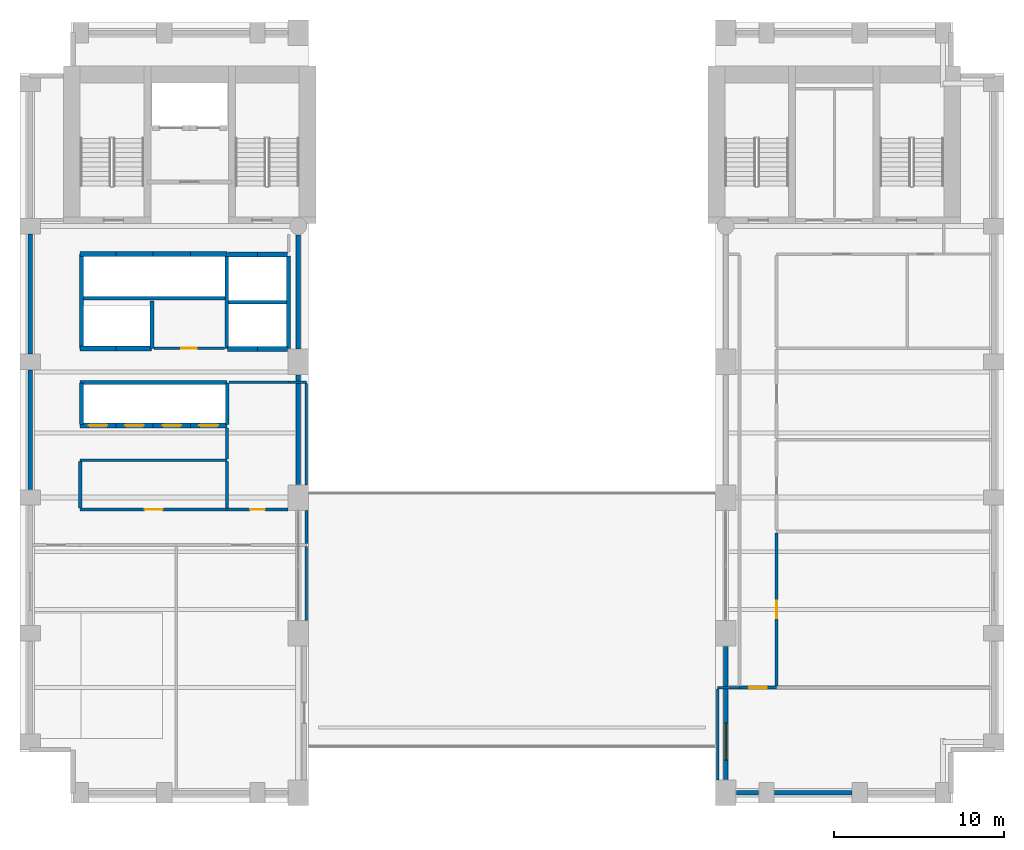
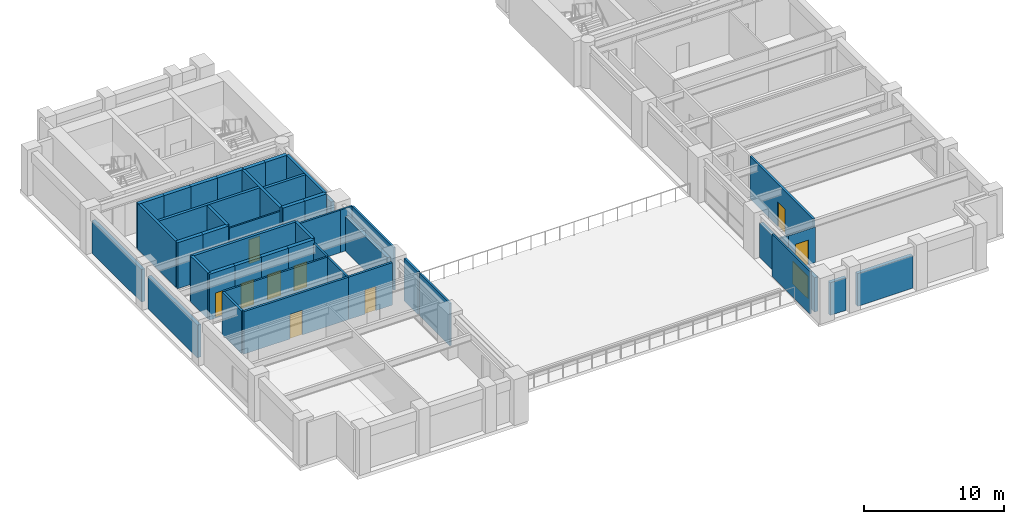
# One storey, part 5 of 10: 46 walls, 9 doors, 1 window, 10 openings.
"""IFC4 building model written with IfcOpenShell, lengths in metres."""

from ifc_helpers import new_model, si_unit, direction, frame, frame_2d, origin, place, context, subcontext, project, spatial, rectangle, extrude, material, layer, layer_set, type_object, element, fill, save


model = new_model("IFC4")

# Units and contexts
model_context = context("Model", 3, precision=1e-05, world=origin(), true_north=direction((0.0, 1.0)))
body_context = subcontext(model_context, "Body", "Model", "MODEL_VIEW")
ifc_project = project(units=[si_unit("LENGTHUNIT", "METRE"), si_unit("AREAUNIT", "SQUARE_METRE"), si_unit("VOLUMEUNIT", "CUBIC_METRE"), si_unit("PLANEANGLEUNIT", "RADIAN"), si_unit("MASSUNIT", "GRAM", prefix="KILO")], contexts=[model_context])

# Site, building, storey
site_placement = place(None, origin())
site = spatial("IfcSite", under=ifc_project, at=site_placement, CompositionType="ELEMENT")
building_placement = place(site_placement, origin())
building = spatial("IfcBuilding", under=site, at=building_placement, Name="Sulina Concourse Tower", CompositionType="ELEMENT")
storey_placement = place(building_placement, frame((0.0, 0.0, 22.60009765625)))
storey = spatial("IfcBuildingStorey", under=building, at=storey_placement, Name="L05", CompositionType="ELEMENT", Elevation=22.60009765625)

# Walls
ifc_material_1 = material(Name="Concrete C50/60", Category="concrete")
ifc_layer_1 = layer(ifc_material_1, 0.219970703125)
ifc_layer_set_1 = layer_set([ifc_layer_1], Name="Concrete C50/60")
wall_type_1 = type_object("IfcWallType", Name="Core Lift Hoistway Divider Wall 220mm", PredefinedType="SOLIDWALL", material=ifc_layer_set_1)
wall_1_placement = place(storey_placement, frame((3.550048828125, 29.75, 0.0), z_axis=(0.0, 0.0, 1.0), x_axis=(1.0, 0.0, 0.0)))
element("IfcWall", 1, at=wall_1_placement, inside=storey, type_object=wall_type_1, Name="L05 shaft divider wall HW-LP3-S", PredefinedType="SOLIDWALL", context=body_context, shape_type="SweptSolid", body=[
    extrude(rectangle(XDim=8.64990234375, YDim=0.219970703125, at=frame_2d((4.324951171875, 0.0))), origin(), (0.0, 0.0, 1.0), 4.0),
])
wall_2_placement = place(storey_placement, frame((3.6298828125, 26.800048828125, 0.0), z_axis=(0.0, 0.0, 1.0), x_axis=(0.0, 1.0, 0.0)))
element("IfcWall", 2, at=wall_2_placement, inside=storey, type_object=wall_type_1, Name="L05 shaft divider wall HW-LP3-W", PredefinedType="SOLIDWALL", context=body_context, shape_type="SweptSolid", body=[
    extrude(rectangle(XDim=5.550048828125, YDim=0.219970703125, at=frame_2d((2.77490234375, 0.0))), origin(), (0.0, 0.0, 1.0), 4.0),
])
wall_3_placement = place(storey_placement, frame((7.780029296875, 26.800048828125, 0.0), z_axis=(0.0, 0.0, 1.0), x_axis=(0.0, 1.0, 0.0)))
element("IfcWall", 3, at=wall_3_placement, inside=storey, type_object=wall_type_1, Name="L05 shaft divider wall HW-EXP-E", PredefinedType="SOLIDWALL", context=body_context, shape_type="SweptSolid", body=[
    extrude(rectangle(XDim=2.800048828125, YDim=0.219970703125, at=frame_2d((1.39990234375, 0.0))), origin(), (0.0, 0.0, 1.0), 4.0),
])
for number, where, z_axis, x_axis, name in (
    (4, (12.179931640625, 26.800048828125, 0.0), (0.0, 0.0, 1.0), (0.0, 1.0, 0.0), "L05 shaft divider wall HW-LP2-W"),
    (5, (15.820068359375, 26.800048828125, 0.0), (0.0, 0.0, 1.0), (0.0, 1.0, 0.0), "L05 shaft divider wall HW-LP2-E"),
):
    element("IfcWall", number, at=place(storey_placement, frame(where, z_axis=z_axis, x_axis=x_axis)), inside=storey, type_object=wall_type_1, Name=name, PredefinedType="SOLIDWALL", context=body_context, shape_type="SweptSolid", body=[
        extrude(rectangle(XDim=5.449951171875, YDim=0.219970703125, at=frame_2d((2.72509765625, 0.0))), origin(), (0.0, 0.0, 1.0), 4.0),
    ])
wall_4_placement = place(storey_placement, frame((12.300048828125, 29.52001953125, 0.0), z_axis=(0.0, 0.0, 1.0), x_axis=(1.0, 0.0, 0.0)))
element("IfcWall", 6, at=wall_4_placement, inside=storey, type_object=wall_type_1, Name="L05 shaft divider wall HW-LP2-M", PredefinedType="SOLIDWALL", context=body_context, shape_type="SweptSolid", body=[
    extrude(rectangle(XDim=3.39990234375, YDim=0.219970703125, at=frame_2d((1.699951171875, 0.0))), origin(), (0.0, 0.0, 1.0), 4.0),
])
wall_5_placement = place(storey_placement, frame((3.550048828125, 24.780029296875, 0.0), z_axis=(0.0, 0.0, 1.0), x_axis=(1.0, 0.0, 0.0)))
element("IfcWall", 7, at=wall_5_placement, inside=storey, type_object=wall_type_1, Name="L05 shaft divider wall HW-LP1-N", PredefinedType="SOLIDWALL", context=body_context, shape_type="SweptSolid", body=[
    extrude(rectangle(XDim=8.64990234375, YDim=0.219970703125, at=frame_2d((4.324951171875, 0.0))), origin(), (0.0, 0.0, 1.0), 4.0),
])
for number, where, z_axis, x_axis, name in (
    (8, (3.6298828125, 22.300048828125, 0.0), (0.0, 0.0, 1.0), (0.0, 1.0, 0.0), "L05 shaft divider wall HW-LP1-W"),
    (9, (12.219970703125, 22.300048828125, 0.0), (0.0, 0.0, 1.0), (0.0, 1.0, 0.0), "L05 shaft divider wall HW-LP1-E"),
):
    element("IfcWall", number, at=place(storey_placement, frame(where, z_axis=z_axis, x_axis=x_axis)), inside=storey, type_object=wall_type_1, Name=name, PredefinedType="SOLIDWALL", context=body_context, shape_type="SweptSolid", body=[
        extrude(rectangle(XDim=2.449951171875, YDim=0.219970703125, at=frame_2d((1.22509765625, 0.0))), origin(), (0.0, 0.0, 1.0), 4.0),
    ])

# Wall, opening, door
ifc_material_2 = material(Name="Concrete C50/60", Category="concrete")
ifc_layer_2 = layer(ifc_material_2, 0.300048828125)
ifc_layer_set_2 = layer_set([ifc_layer_2], Name="Concrete C50/60")
wall_type_2 = type_object("IfcWallType", Name="Core Lift Hoistway Wall 300mm", PredefinedType="SOLIDWALL", material=ifc_layer_set_2)
wall_6_placement = place(storey_placement, frame((5.64990234375, 22.25, 0.0), z_axis=(0.0, 0.0, 1.0), x_axis=(-1.0, 0.0, 0.0)))
wall_6 = element("IfcWall", 10, at=wall_6_placement, inside=storey, type_object=wall_type_2, Name="L05 hoistway enclosure wall LP-01", PredefinedType="SOLIDWALL", context=body_context, shape_type="SweptSolid", body=[
    extrude(rectangle(XDim=2.099853515625, YDim=0.300048828125, at=frame_2d((1.0498046875, 0.0))), origin(), (0.0, 0.0, 1.0), 4.0),
])
opening_1_placement = place(wall_6_placement, frame((0.5, 0.0, 0.0)))
opening_1 = element("IfcOpeningElement", 11, at=opening_1_placement, cuts=wall_6, Name="Opening LD-01", PredefinedType="OPENING", context=body_context, shape_type="SweptSolid", body=[
    extrude(rectangle(XDim=1.10009765625, YDim=2.199951171875, at=frame_2d((0.550048828125, 1.10009765625))), frame((0.0, 0.159912109375, 0.0), z_axis=(0.0, -1.0, 0.0), x_axis=(1.0, 0.0, 0.0)), (0.0, 0.0, 1.0), 0.320068359375),
])
ifc_material_3 = material(Name="Stainless steel lift landing door", Category="steel")
ifc_layer_3 = layer(ifc_material_3, 0.050048828125)
ifc_layer_set_3 = layer_set([ifc_layer_3], Name="Stainless steel lift landing door")
door_type_1 = type_object("IfcDoorType", Name="Passenger Lift Sliding Landing Door 1100x2200", OperationType="SLIDING_TO_LEFT", PredefinedType="DOOR", material=ifc_layer_set_3)
door_1_placement = place(opening_1_placement, origin())
door_1 = element("IfcDoor", 12, at=door_1_placement, inside=storey, type_object=door_type_1, Name="L05 lift landing sliding door LP-01", OperationType="SLIDING_TO_LEFT", OverallHeight=2.199951171875, OverallWidth=1.10009765625, PredefinedType="DOOR", context=body_context, shape_type="SweptSolid", body=[
    extrude(rectangle(XDim=1.10009765625, YDim=2.199951171875, at=frame_2d((0.550048828125, 1.10009765625))), frame((0.0, 0.02490234375, 0.0), z_axis=(0.0, -1.0, 0.0), x_axis=(1.0, 0.0, 0.0)), (0.0, 0.0, 1.0), 0.050048828125),
])
fill(opening_1, door_1)

wall_7_placement = place(storey_placement, frame((7.85009765625, 22.25, 0.0), z_axis=(0.0, 0.0, 1.0), x_axis=(-1.0, 0.0, 0.0)))
wall_7 = element("IfcWall", 13, at=wall_7_placement, inside=storey, type_object=wall_type_2, Name="L05 hoistway enclosure wall LP-02", PredefinedType="SOLIDWALL", context=body_context, shape_type="SweptSolid", body=[
    extrude(rectangle(XDim=2.2001953125, YDim=0.300048828125, at=frame_2d((1.10009765625, 0.0))), origin(), (0.0, 0.0, 1.0), 4.0),
])
opening_2_placement = place(wall_7_placement, frame((0.550048828125, 0.0, 0.0)))
opening_2 = element("IfcOpeningElement", 14, at=opening_2_placement, cuts=wall_7, Name="Opening LD-01", PredefinedType="OPENING", context=body_context, shape_type="SweptSolid", body=[
    extrude(rectangle(XDim=1.10009765625, YDim=2.199951171875, at=frame_2d((0.550048828125, 1.10009765625))), frame((0.0, 0.159912109375, 0.0), z_axis=(0.0, -1.0, 0.0), x_axis=(1.0, 0.0, 0.0)), (0.0, 0.0, 1.0), 0.320068359375),
])
door_2_placement = place(opening_2_placement, origin())
door_2 = element("IfcDoor", 15, at=door_2_placement, inside=storey, type_object=door_type_1, Name="L05 lift landing sliding door LP-02", OperationType="SLIDING_TO_RIGHT", OverallHeight=2.199951171875, OverallWidth=1.10009765625, PredefinedType="DOOR", context=body_context, shape_type="SweptSolid", body=[
    extrude(rectangle(XDim=1.10009765625, YDim=2.199951171875, at=frame_2d((0.550048828125, 1.10009765625))), frame((0.0, 0.02490234375, 0.0), z_axis=(0.0, -1.0, 0.0), x_axis=(1.0, 0.0, 0.0)), (0.0, 0.0, 1.0), 0.050048828125),
])
fill(opening_2, door_2)

wall_8_placement = place(storey_placement, frame((10.050048828125, 22.25, 0.0), z_axis=(0.0, 0.0, 1.0), x_axis=(-1.0, 0.0, 0.0)))
wall_8 = element("IfcWall", 16, at=wall_8_placement, inside=storey, type_object=wall_type_2, Name="L05 hoistway enclosure wall LP-03", PredefinedType="SOLIDWALL", context=body_context, shape_type="SweptSolid", body=[
    extrude(rectangle(XDim=2.199951171875, YDim=0.300048828125, at=frame_2d((1.10009765625, 0.0))), origin(), (0.0, 0.0, 1.0), 4.0),
])
opening_3_placement = place(wall_8_placement, frame((0.550048828125, 0.0, 0.0)))
opening_3 = element("IfcOpeningElement", 17, at=opening_3_placement, cuts=wall_8, Name="Opening LD-01", PredefinedType="OPENING", context=body_context, shape_type="SweptSolid", body=[
    extrude(rectangle(XDim=1.10009765625, YDim=2.199951171875, at=frame_2d((0.550048828125, 1.10009765625))), frame((0.0, 0.159912109375, 0.0), z_axis=(0.0, -1.0, 0.0), x_axis=(1.0, 0.0, 0.0)), (0.0, 0.0, 1.0), 0.320068359375),
])
door_3_placement = place(opening_3_placement, origin())
door_3 = element("IfcDoor", 18, at=door_3_placement, inside=storey, type_object=door_type_1, Name="L05 lift landing sliding door LP-03", OperationType="SLIDING_TO_LEFT", OverallHeight=2.199951171875, OverallWidth=1.10009765625, PredefinedType="DOOR", context=body_context, shape_type="SweptSolid", body=[
    extrude(rectangle(XDim=1.10009765625, YDim=2.199951171875, at=frame_2d((0.550048828125, 1.10009765625))), frame((0.0, 0.02490234375, 0.0), z_axis=(0.0, -1.0, 0.0), x_axis=(1.0, 0.0, 0.0)), (0.0, 0.0, 1.0), 0.050048828125),
])
fill(opening_3, door_3)

wall_9_placement = place(storey_placement, frame((12.199951171875, 22.25, 0.0), z_axis=(0.0, 0.0, 1.0), x_axis=(-1.0, 0.0, 0.0)))
wall_9 = element("IfcWall", 19, at=wall_9_placement, inside=storey, type_object=wall_type_2, Name="L05 hoistway enclosure wall LP-04", PredefinedType="SOLIDWALL", context=body_context, shape_type="SweptSolid", body=[
    extrude(rectangle(XDim=2.14990234375, YDim=0.300048828125, at=frame_2d((1.074951171875, 0.0))), origin(), (0.0, 0.0, 1.0), 4.0),
])
opening_4_placement = place(wall_9_placement, frame((0.52490234375, 0.0, 0.0)))
opening_4 = element("IfcOpeningElement", 20, at=opening_4_placement, cuts=wall_9, Name="Opening LD-01", PredefinedType="OPENING", context=body_context, shape_type="SweptSolid", body=[
    extrude(rectangle(XDim=1.10009765625, YDim=2.199951171875, at=frame_2d((0.550048828125, 1.10009765625))), frame((0.0, 0.159912109375, 0.0), z_axis=(0.0, -1.0, 0.0), x_axis=(1.0, 0.0, 0.0)), (0.0, 0.0, 1.0), 0.320068359375),
])
door_4_placement = place(opening_4_placement, origin())
door_4 = element("IfcDoor", 21, at=door_4_placement, inside=storey, type_object=door_type_1, Name="L05 lift landing sliding door LP-04", OperationType="SLIDING_TO_RIGHT", OverallHeight=2.199951171875, OverallWidth=1.10009765625, PredefinedType="DOOR", context=body_context, shape_type="SweptSolid", body=[
    extrude(rectangle(XDim=1.10009765625, YDim=2.199951171875, at=frame_2d((0.550048828125, 1.10009765625))), frame((0.0, 0.02490234375, 0.0), z_axis=(0.0, -1.0, 0.0), x_axis=(1.0, 0.0, 0.0)), (0.0, 0.0, 1.0), 0.050048828125),
])
fill(opening_4, door_4)

# Walls
for number, where, z_axis, x_axis, name in (
    (22, (14.0, 26.75, 0.0), (0.0, 0.0, 1.0), (-1.0, 0.0, 0.0), "L05 hoistway enclosure wall LP-05"),
    (23, (15.780029296875, 26.75, 0.0), (0.0, 0.0, 1.0), (-1.0, 0.0, 0.0), "L05 hoistway enclosure wall LP-06"),
    (24, (12.219970703125, 32.320068359375, 0.0), (0.0, 0.0, 1.0), (1.0, 0.0, 0.0), "L05 hoistway enclosure wall LP-07"),
    (25, (14.0, 32.320068359375, 0.0), (0.0, 0.0, 1.0), (1.0, 0.0, 0.0), "L05 hoistway enclosure wall LP-08"),
):
    element("IfcWall", number, at=place(storey_placement, frame(where, z_axis=z_axis, x_axis=x_axis)), inside=storey, type_object=wall_type_2, Name=name, PredefinedType="SOLIDWALL", context=body_context, shape_type="SweptSolid", body=[
        extrude(rectangle(XDim=1.780029296875, YDim=0.300048828125, at=frame_2d((0.89013671875, 0.0))), origin(), (0.0, 0.0, 1.0), 4.0),
    ])
wall_10_placement = place(storey_placement, frame((3.550048828125, 32.35009765625, 0.0), z_axis=(0.0, 0.0, 1.0), x_axis=(1.0, 0.0, 0.0)))
element("IfcWall", 26, at=wall_10_placement, inside=storey, type_object=wall_type_2, Name="L05 hoistway enclosure wall LP-09", PredefinedType="SOLIDWALL", context=body_context, shape_type="SweptSolid", body=[
    extrude(rectangle(XDim=2.099853515625, YDim=0.300048828125, at=frame_2d((1.0498046875, 0.0))), origin(), (0.0, 0.0, 1.0), 4.0),
])
wall_11_placement = place(storey_placement, frame((5.64990234375, 32.35009765625, 0.0), z_axis=(0.0, 0.0, 1.0), x_axis=(1.0, 0.0, 0.0)))
element("IfcWall", 27, at=wall_11_placement, inside=storey, type_object=wall_type_2, Name="L05 hoistway enclosure wall LP-10", PredefinedType="SOLIDWALL", context=body_context, shape_type="SweptSolid", body=[
    extrude(rectangle(XDim=2.2001953125, YDim=0.300048828125, at=frame_2d((1.10009765625, 0.0))), origin(), (0.0, 0.0, 1.0), 4.0),
])
wall_12_placement = place(storey_placement, frame((7.85009765625, 32.35009765625, 0.0), z_axis=(0.0, 0.0, 1.0), x_axis=(1.0, 0.0, 0.0)))
element("IfcWall", 28, at=wall_12_placement, inside=storey, type_object=wall_type_2, Name="L05 hoistway enclosure wall LP-11", PredefinedType="SOLIDWALL", context=body_context, shape_type="SweptSolid", body=[
    extrude(rectangle(XDim=2.199951171875, YDim=0.300048828125, at=frame_2d((1.10009765625, 0.0))), origin(), (0.0, 0.0, 1.0), 4.0),
])
wall_13_placement = place(storey_placement, frame((10.050048828125, 32.35009765625, 0.0), z_axis=(0.0, 0.0, 1.0), x_axis=(1.0, 0.0, 0.0)))
element("IfcWall", 29, at=wall_13_placement, inside=storey, type_object=wall_type_2, Name="L05 hoistway enclosure wall LP-12", PredefinedType="SOLIDWALL", context=body_context, shape_type="SweptSolid", body=[
    extrude(rectangle(XDim=2.14990234375, YDim=0.300048828125, at=frame_2d((1.074951171875, 0.0))), origin(), (0.0, 0.0, 1.0), 4.0),
])
wall_14_placement = place(storey_placement, frame((5.64990234375, 26.780029296875, 0.0), z_axis=(0.0, 0.0, 1.0), x_axis=(-1.0, 0.0, 0.0)))
element("IfcWall", 30, at=wall_14_placement, inside=storey, type_object=wall_type_2, Name="L05 hoistway enclosure wall EXP-1", PredefinedType="SOLIDWALL", context=body_context, shape_type="SweptSolid", body=[
    extrude(rectangle(XDim=2.099853515625, YDim=0.300048828125, at=frame_2d((1.0498046875, 0.0))), origin(), (0.0, 0.0, 1.0), 4.0),
])
wall_15_placement = place(storey_placement, frame((7.75, 26.780029296875, 0.0), z_axis=(0.0, 0.0, 1.0), x_axis=(-1.0, 0.0, 0.0)))
element("IfcWall", 31, at=wall_15_placement, inside=storey, type_object=wall_type_2, Name="L05 hoistway enclosure wall EXP-2", PredefinedType="SOLIDWALL", context=body_context, shape_type="SweptSolid", body=[
    extrude(rectangle(XDim=2.10009765625, YDim=0.300048828125, at=frame_2d((1.050048828125, 0.0))), origin(), (0.0, 0.0, 1.0), 4.0),
])
ifc_material_4 = material(Name="Gypsum board on steel stud", Category="steel")
ifc_layer_4 = layer(ifc_material_4, 0.14990234375)
ifc_layer_set_4 = layer_set([ifc_layer_4], Name="Gypsum board on steel stud")
wall_type_3 = type_object("IfcWallType", Name="Inter-Tenancy Acoustic Partition 150mm", PredefinedType="PARTITIONING", material=ifc_layer_set_4)
wall_16_placement = place(storey_placement, frame((41.1201171875, 6.800048828125, 0.0), z_axis=(0.0, 0.0, 1.0), x_axis=(1.0, 0.0, 0.0)))
element("IfcWall", 32, at=wall_16_placement, inside=storey, type_object=wall_type_3, Name="L05 interior partition 001", PredefinedType="PARTITIONING", context=body_context, shape_type="SweptSolid", body=[
    extrude(rectangle(XDim=1.27978515625, YDim=0.14990234375, at=frame_2d((0.639892578125, 0.0))), origin(), (0.0, 0.0, 1.0), 3.094970703125),
])
wall_17_placement = place(storey_placement, frame((3.550048828125, 20.199951171875, 0.0), z_axis=(0.0, 0.0, 1.0), x_axis=(1.0, 0.0, 0.0)))
element("IfcWall", 33, at=wall_17_placement, inside=storey, type_object=wall_type_3, Name="L05 interior partition 010", PredefinedType="PARTITIONING", context=body_context, shape_type="SweptSolid", body=[
    extrude(rectangle(XDim=8.64990234375, YDim=0.14990234375, at=frame_2d((4.324951171875, 0.0))), origin(), (0.0, 0.0, 1.0), 3.699951171875),
])
wall_18_placement = place(storey_placement, frame((12.330078125, 24.800048828125, 0.0), z_axis=(0.0, 0.0, 1.0), x_axis=(1.0, 0.0, 0.0)))
element("IfcWall", 34, at=wall_18_placement, inside=storey, type_object=wall_type_3, Name="L05 interior partition 012", PredefinedType="PARTITIONING", context=body_context, shape_type="SweptSolid", body=[
    extrude(rectangle(XDim=3.52001953125, YDim=0.14990234375, at=frame_2d((1.760009765625, 0.0))), origin(), (0.0, 0.0, 1.0), 3.699951171875),
])
wall_19_placement = place(storey_placement, frame((15.85009765625, 24.800048828125, 0.0), z_axis=(0.0, 0.0, 1.0), x_axis=(1.0, 0.0, 0.0)))
element("IfcWall", 35, at=wall_19_placement, inside=storey, type_object=wall_type_3, Name="L05 interior partition 013", PredefinedType="PARTITIONING", context=body_context, shape_type="SweptSolid", body=[
    extrude(rectangle(XDim=1.02978515625, YDim=0.14990234375, at=frame_2d((0.514892578125, 0.0))), origin(), (0.0, 0.0, 1.0), 3.699951171875),
])
wall_20_placement = place(storey_placement, frame((12.199951171875, 17.389892578125, 0.0), z_axis=(0.0, 0.0, 1.0), x_axis=(0.0, 1.0, 0.0)))
element("IfcWall", 36, at=wall_20_placement, inside=storey, type_object=wall_type_3, Name="L05 interior partition 026", PredefinedType="PARTITIONING", context=body_context, shape_type="SweptSolid", body=[
    extrude(rectangle(XDim=2.735107421875, YDim=0.14990234375, at=frame_2d((1.36767578125, 0.0))), origin(), (0.0, 0.0, 1.0), 3.699951171875),
])
wall_21_placement = place(storey_placement, frame((12.199951171875, 20.27490234375, 0.0), z_axis=(0.0, 0.0, 1.0), x_axis=(0.0, 1.0, 0.0)))
element("IfcWall", 37, at=wall_21_placement, inside=storey, type_object=wall_type_3, Name="L05 interior partition 027", PredefinedType="PARTITIONING", context=body_context, shape_type="SweptSolid", body=[
    extrude(rectangle(XDim=1.8251953125, YDim=0.14990234375, at=frame_2d((0.91259765625, 0.0))), origin(), (0.0, 0.0, 1.0), 3.699951171875),
])
wall_22_placement = place(storey_placement, frame((16.8798828125, 10.75, 0.0), z_axis=(0.0, 0.0, 1.0), x_axis=(0.0, 1.0, 0.0)))
element("IfcWall", 38, at=wall_22_placement, inside=storey, type_object=wall_type_3, Name="L05 interior partition 029", PredefinedType="PARTITIONING", context=body_context, shape_type="SweptSolid", body=[
    extrude(rectangle(XDim=4.360107421875, YDim=0.14990234375, at=frame_2d((2.18017578125, 0.0))), origin(), (0.0, 0.0, 1.0), 3.699951171875),
])
wall_23_placement = place(storey_placement, frame((16.8798828125, 18.75, 0.0), z_axis=(0.0, 0.0, 1.0), x_axis=(0.0, 1.0, 0.0)))
element("IfcWall", 39, at=wall_23_placement, inside=storey, type_object=wall_type_3, Name="L05 interior partition 031", PredefinedType="PARTITIONING", context=body_context, shape_type="SweptSolid", body=[
    extrude(rectangle(XDim=5.97509765625, YDim=0.14990234375, at=frame_2d((2.987548828125, 0.0))), origin(), (0.0, 0.0, 1.0), 3.699951171875),
])
wall_24_placement = place(storey_placement, frame((41.1201171875, 1.35009765625, 0.0), z_axis=(0.0, 0.0, 1.0), x_axis=(0.0, 1.0, 0.0)))
element("IfcWall", 40, at=wall_24_placement, inside=storey, type_object=wall_type_3, Name="L05 interior partition 032", PredefinedType="PARTITIONING", context=body_context, shape_type="SweptSolid", body=[
    extrude(rectangle(XDim=5.375, YDim=0.14990234375, at=frame_2d((2.6875, 0.0))), origin(), (0.0, 0.0, 1.0), 3.699951171875),
])

# Wall, opening, door
ifc_material_5 = material(Name="Gypsum board on steel stud", Category="steel")
ifc_layer_5 = layer(ifc_material_5, 0.179931640625)
ifc_layer_set_5 = layer_set([ifc_layer_5], Name="Gypsum board on steel stud")
wall_type_4 = type_object("IfcWallType", Name="Protected Corridor & Riser Partition 180mm", PredefinedType="PARTITIONING", material=ifc_layer_set_5)
wall_25_placement = place(storey_placement, frame((42.39990234375, 6.800048828125, 0.0), z_axis=(0.0, 0.0, 1.0), x_axis=(1.0, 0.0, 0.0)))
wall_25 = element("IfcWall", 41, at=wall_25_placement, inside=storey, type_object=wall_type_4, Name="L05 interior partition 002", PredefinedType="PARTITIONING", context=body_context, shape_type="SweptSolid", body=[
    extrude(rectangle(XDim=2.2001953125, YDim=0.179931640625, at=frame_2d((1.10009765625, 0.0))), origin(), (0.0, 0.0, 1.0), 3.094970703125),
])
opening_5_placement = place(wall_25_placement, frame((0.574951171875, 0.0, 0.0)))
opening_5 = element("IfcOpeningElement", 42, at=opening_5_placement, cuts=wall_25, Name="Opening DR-37", PredefinedType="OPENING", context=body_context, shape_type="SweptSolid", body=[
    extrude(rectangle(XDim=1.050048828125, YDim=2.14990234375, at=frame_2d((0.52490234375, 1.074951171875))), frame((0.0, 0.099853515625, 0.0), z_axis=(0.0, -1.0, 0.0), x_axis=(1.0, 0.0, 0.0)), (0.0, 0.0, 1.0), 0.199951171875),
])
ifc_material_6 = material(Name="Oak-veneered fire door leaf")
ifc_layer_6 = layer(ifc_material_6, 0.050048828125)
ifc_layer_set_6 = layer_set([ifc_layer_6], Name="Oak-veneered fire door leaf")
door_type_2 = type_object("IfcDoorType", Name="Tenant Suite Entrance Fire Door 1050x2150", OperationType="NOTDEFINED", PredefinedType="DOOR", material=ifc_layer_set_6)
door_5_placement = place(opening_5_placement, origin())
door_5 = element("IfcDoor", 43, at=door_5_placement, inside=storey, type_object=door_type_2, Name="L05 interior door L05-OFF-E1", OperationType="SINGLE_SWING_RIGHT", OverallHeight=2.14990234375, OverallWidth=1.050048828125, PredefinedType="DOOR", context=body_context, shape_type="SweptSolid", body=[
    extrude(rectangle(XDim=1.050048828125, YDim=2.14990234375, at=frame_2d((0.52490234375, 1.074951171875))), frame((0.0, 0.02490234375, 0.0), z_axis=(0.0, -1.0, 0.0), x_axis=(1.0, 0.0, 0.0)), (0.0, 0.0, 1.0), 0.050048828125),
])
fill(opening_5, door_5)

wall_26_placement = place(storey_placement, frame((3.550048828125, 17.300048828125, 0.0), z_axis=(0.0, 0.0, 1.0), x_axis=(1.0, 0.0, 0.0)))
wall_26 = element("IfcWall", 44, at=wall_26_placement, inside=storey, type_object=wall_type_4, Name="L05 interior partition 008", PredefinedType="PARTITIONING", context=body_context, shape_type="SweptSolid", body=[
    extrude(rectangle(XDim=8.64990234375, YDim=0.179931640625, at=frame_2d((4.324951171875, 0.0))), origin(), (0.0, 0.0, 1.0), 3.699951171875),
])
opening_6_placement = place(wall_26_placement, frame((3.800048828125, 0.0, 0.0)))
opening_6 = element("IfcOpeningElement", 45, at=opening_6_placement, cuts=wall_26, Name="Opening DR-37", PredefinedType="OPENING", context=body_context, shape_type="SweptSolid", body=[
    extrude(rectangle(XDim=1.050048828125, YDim=2.14990234375, at=frame_2d((0.52490234375, 1.074951171875))), frame((0.0, 0.099853515625, 0.0), z_axis=(0.0, -1.0, 0.0), x_axis=(1.0, 0.0, 0.0)), (0.0, 0.0, 1.0), 0.199951171875),
])
door_6_placement = place(opening_6_placement, origin())
door_6 = element("IfcDoor", 46, at=door_6_placement, inside=storey, type_object=door_type_2, Name="L05 interior door L05-PNT-W0", OperationType="SINGLE_SWING_LEFT", OverallHeight=2.14990234375, OverallWidth=1.050048828125, PredefinedType="DOOR", context=body_context, shape_type="SweptSolid", body=[
    extrude(rectangle(XDim=1.050048828125, YDim=2.14990234375, at=frame_2d((0.52490234375, 1.074951171875))), frame((0.0, 0.02490234375, 0.0), z_axis=(0.0, -1.0, 0.0), x_axis=(1.0, 0.0, 0.0)), (0.0, 0.0, 1.0), 0.050048828125),
])
fill(opening_6, door_6)

wall_27_placement = place(storey_placement, frame((12.199951171875, 17.300048828125, 0.0), z_axis=(0.0, 0.0, 1.0), x_axis=(1.0, 0.0, 0.0)))
wall_27 = element("IfcWall", 47, at=wall_27_placement, inside=storey, type_object=wall_type_4, Name="L05 interior partition 009", PredefinedType="PARTITIONING", context=body_context, shape_type="SweptSolid", body=[
    extrude(rectangle(XDim=3.60009765625, YDim=0.179931640625, at=frame_2d((1.800048828125, 0.0))), origin(), (0.0, 0.0, 1.0), 3.699951171875),
])
opening_7_placement = place(wall_27_placement, frame((1.360107421875, 0.0, 0.0)))
opening_7 = element("IfcOpeningElement", 48, at=opening_7_placement, cuts=wall_27, Name="Opening DR-38", PredefinedType="OPENING", context=body_context, shape_type="SweptSolid", body=[
    extrude(rectangle(XDim=0.8798828125, YDim=2.10009765625, at=frame_2d((0.43994140625, 1.050048828125))), frame((0.0, 0.099853515625, 0.0), z_axis=(0.0, -1.0, 0.0), x_axis=(1.0, 0.0, 0.0)), (0.0, 0.0, 1.0), 0.199951171875),
])
ifc_material_7 = material(Name="Galvanised steel acoustic fire leaf", Category="steel")
ifc_layer_7 = layer(ifc_material_7, 0.050048828125)
ifc_layer_set_7 = layer_set([ifc_layer_7], Name="Galvanised steel acoustic fire leaf")
door_type_3 = type_object("IfcDoorType", Name="Service Riser Fire Door 880x2100", OperationType="NOTDEFINED", PredefinedType="DOOR", material=ifc_layer_set_7)
door_7_placement = place(opening_7_placement, origin())
door_7 = element("IfcDoor", 49, at=door_7_placement, inside=storey, type_object=door_type_3, Name="L05 interior door L05-STR-W0", OperationType="SINGLE_SWING_RIGHT", OverallHeight=2.10009765625, OverallWidth=0.8798828125, PredefinedType="DOOR", context=body_context, shape_type="SweptSolid", body=[
    extrude(rectangle(XDim=0.8798828125, YDim=2.10009765625, at=frame_2d((0.43994140625, 1.050048828125))), frame((0.0, 0.02490234375, 0.0), z_axis=(0.0, -1.0, 0.0), x_axis=(1.0, 0.0, 0.0)), (0.0, 0.0, 1.0), 0.050048828125),
])
fill(opening_7, door_7)

# Walls
wall_28_placement = place(storey_placement, frame((3.550048828125, 17.389892578125, 0.0), z_axis=(0.0, 0.0, 1.0), x_axis=(0.0, 1.0, 0.0)))
element("IfcWall", 50, at=wall_28_placement, inside=storey, type_object=wall_type_4, Name="L05 interior partition 024", PredefinedType="PARTITIONING", context=body_context, shape_type="SweptSolid", body=[
    extrude(rectangle(XDim=2.735107421875, YDim=0.179931640625, at=frame_2d((1.36767578125, 0.0))), origin(), (0.0, 0.0, 1.0), 3.699951171875),
])
wall_29_placement = place(storey_placement, frame((16.8798828125, 15.2900390625, 0.0), z_axis=(0.0, 0.0, 1.0), x_axis=(0.0, 1.0, 0.0)))
element("IfcWall", 51, at=wall_29_placement, inside=storey, type_object=wall_type_4, Name="L05 interior partition 030", PredefinedType="PARTITIONING", context=body_context, shape_type="SweptSolid", body=[
    extrude(rectangle(XDim=1.9599609375, YDim=0.179931640625, at=frame_2d((0.97998046875, 0.0))), origin(), (0.0, 0.0, 1.0), 3.699951171875),
])

# Wall, opening, door
wall_30_placement = place(storey_placement, frame((44.60009765625, 6.889892578125, 0.0), z_axis=(0.0, 0.0, 1.0), x_axis=(0.0, 1.0, 0.0)))
wall_30 = element("IfcWall", 52, at=wall_30_placement, inside=storey, type_object=wall_type_4, Name="L05 interior partition 034", PredefinedType="PARTITIONING", context=body_context, shape_type="SweptSolid", body=[
    extrude(rectangle(XDim=9.03515625, YDim=0.179931640625, at=frame_2d((4.517578125, 0.0))), origin(), (0.0, 0.0, 1.0), 3.699951171875),
])
opening_8_placement = place(wall_30_placement, frame((3.992431640625, 0.0, 0.0)))
opening_8 = element("IfcOpeningElement", 53, at=opening_8_placement, cuts=wall_30, Name="Opening DR-37", PredefinedType="OPENING", context=body_context, shape_type="SweptSolid", body=[
    extrude(rectangle(XDim=1.050048828125, YDim=2.14990234375, at=frame_2d((0.52490234375, 1.074951171875))), frame((0.0, 0.099853515625, 0.0), z_axis=(0.0, -1.0, 0.0), x_axis=(1.0, 0.0, 0.0)), (0.0, 0.0, 1.0), 0.199951171875),
])
door_8_placement = place(opening_8_placement, origin())
door_8 = element("IfcDoor", 54, at=door_8_placement, inside=storey, type_object=door_type_2, Name="L05 interior door L05-MTG-E1", OperationType="SINGLE_SWING_RIGHT", OverallHeight=2.14990234375, OverallWidth=1.050048828125, PredefinedType="DOOR", context=body_context, shape_type="SweptSolid", body=[
    extrude(rectangle(XDim=1.050048828125, YDim=2.14990234375, at=frame_2d((0.52490234375, 1.074951171875))), frame((0.0, 0.02490234375, 0.0), z_axis=(0.0, -1.0, 0.0), x_axis=(1.0, 0.0, 0.0)), (0.0, 0.0, 1.0), 0.050048828125),
])
fill(opening_8, door_8)

# Walls
ifc_material_8 = material(Name="Precast concrete C50/60", Category="concrete")
ifc_layer_8 = layer(ifc_material_8, 0.280029296875)
ifc_layer_set_8 = layer_set([ifc_layer_8], Name="Precast concrete C50/60")
wall_type_5 = type_object("IfcWallType", Name="Typical Precast Masonry-Frame Facade Wall 280mm", PredefinedType="SOLIDWALL", material=ifc_layer_set_8)
wall_31_placement = place(storey_placement, frame((43.530029296875, 0.60009765625, 0.0), z_axis=(0.0, 0.0, 1.0), x_axis=(-1.0, 0.0, 0.0)))
element("IfcWall", 55, at=wall_31_placement, inside=storey, type_object=wall_type_5, Name="L05 exterior precast wall S5", PredefinedType="SOLIDWALL", context=body_context, shape_type="SweptSolid", body=[
    extrude(rectangle(XDim=1.31005859375, YDim=0.280029296875, at=frame_2d((0.655029296875, 0.0))), origin(), (0.0, 0.0, 1.0), 2.849853515625),
])
wall_32_placement = place(storey_placement, frame((49.030029296875, 0.60009765625, 0.0), z_axis=(0.0, 0.0, 1.0), x_axis=(-1.0, 0.0, 0.0)))
element("IfcWall", 56, at=wall_32_placement, inside=storey, type_object=wall_type_5, Name="L05 exterior precast wall S6", PredefinedType="SOLIDWALL", context=body_context, shape_type="SweptSolid", body=[
    extrude(rectangle(XDim=4.56005859375, YDim=0.280029296875, at=frame_2d((2.280029296875, 0.0))), origin(), (0.0, 0.0, 1.0), 2.849853515625),
])
for number, where, z_axis, x_axis, name in (
    (57, (0.60009765625, 18.469970703125, 0.0), (0.0, 0.0, 1.0), (0.0, 1.0, 0.0), "L05 exterior precast wall W3"),
    (58, (0.60009765625, 26.469970703125, 0.0), (0.0, 0.0, 1.0), (0.0, 1.0, 0.0), "L05 exterior precast wall W4"),
):
    element("IfcWall", number, at=place(storey_placement, frame(where, z_axis=z_axis, x_axis=x_axis)), inside=storey, type_object=wall_type_5, Name=name, PredefinedType="SOLIDWALL", context=body_context, shape_type="SweptSolid", body=[
        extrude(rectangle(XDim=7.06005859375, YDim=0.280029296875, at=frame_2d((3.530029296875, 0.0))), origin(), (0.0, 0.0, 1.0), 2.849853515625),
    ])

# Wall, opening, window
wall_33_placement = place(storey_placement, frame((41.60009765625, 1.3701171875, 0.0), z_axis=(0.0, 0.0, 1.0), x_axis=(0.0, 1.0, 0.0)))
wall_33 = element("IfcWall", 59, at=wall_33_placement, inside=storey, type_object=wall_type_5, Name="L05 exterior precast wall PE1", PredefinedType="SOLIDWALL", context=body_context, shape_type="SweptSolid", body=[
    extrude(rectangle(XDim=7.85986328125, YDim=0.280029296875, at=frame_2d((3.929931640625, 0.0))), origin(), (0.0, 0.0, 1.0), 3.0),
])
opening_9_placement = place(wall_33_placement, frame((1.1533203125, 0.0, 0.419921875)))
opening_9 = element("IfcOpeningElement", 60, at=opening_9_placement, cuts=wall_33, Name="Opening WN-76", PredefinedType="OPENING", context=body_context, shape_type="SweptSolid", body=[
    extrude(rectangle(XDim=2.199951171875, YDim=1.949951171875, at=frame_2d((1.10009765625, 0.97509765625))), frame((0.0, 0.14990234375, 0.0), z_axis=(0.0, -1.0, 0.0), x_axis=(1.0, 0.0, 0.0)), (0.0, 0.0, 1.0), 0.300048828125),
])
ifc_material_9 = material(Name="Low-E solar double glazing in bronze aluminium", Category="aluminium")
window_type = type_object("IfcWindowType", Name="Recessed Spandrel Window 2200x1950", PartitioningType="DOUBLE_PANEL_VERTICAL", PredefinedType="WINDOW", material=ifc_material_9)
window_placement = place(opening_9_placement, origin())
window = element("IfcWindow", 61, at=window_placement, inside=storey, type_object=window_type, Name="L05 punched window PE1-1", OverallHeight=1.949951171875, OverallWidth=2.199951171875, PartitioningType="SINGLE_PANEL", PredefinedType="WINDOW", context=body_context, shape_type="SweptSolid", body=[
    extrude(rectangle(XDim=2.199951171875, YDim=1.949951171875, at=frame_2d((1.10009765625, 0.97509765625))), frame((0.0, 0.030029296875, 0.0), z_axis=(0.0, -1.0, 0.0), x_axis=(1.0, 0.0, 0.0)), (0.0, 0.0, 1.0), 0.06005859375),
])
fill(opening_9, window)

# Walls
wall_34_placement = place(storey_placement, frame((16.39990234375, 25.22998046875, 0.0), z_axis=(0.0, 0.0, 1.0), x_axis=(0.0, -1.0, 0.0)))
element("IfcWall", 62, at=wall_34_placement, inside=storey, type_object=wall_type_5, Name="L05 exterior precast wall PW3", PredefinedType="SOLIDWALL", context=body_context, shape_type="SweptSolid", body=[
    extrude(rectangle(XDim=6.4599609375, YDim=0.280029296875, at=frame_2d((3.22998046875, 0.0))), origin(), (0.0, 0.0, 1.0), 3.0),
])
wall_35_placement = place(storey_placement, frame((16.39990234375, 33.47998046875, 0.0), z_axis=(0.0, 0.0, 1.0), x_axis=(0.0, -1.0, 0.0)))
element("IfcWall", 63, at=wall_35_placement, inside=storey, type_object=wall_type_5, Name="L05 exterior precast wall PW4", PredefinedType="SOLIDWALL", context=body_context, shape_type="SweptSolid", body=[
    extrude(rectangle(XDim=6.7099609375, YDim=0.280029296875, at=frame_2d((3.35498046875, 0.0))), origin(), (0.0, 0.0, 1.0), 3.0),
])

# Wall, opening, door
ifc_material_10 = material(Name="Gypsum board on steel stud", Category="steel")
ifc_layer_9 = layer(ifc_material_10, 0.125)
ifc_layer_set_9 = layer_set([ifc_layer_9], Name="Gypsum board on steel stud")
wall_type_6 = type_object("IfcWallType", Name="Wet-Area Moisture-Resistant Partition 125mm", PredefinedType="PARTITIONING", material=ifc_layer_set_9)
wall_36_placement = place(storey_placement, frame((7.889892578125, 26.800048828125, 0.0), z_axis=(0.0, 0.0, 1.0), x_axis=(1.0, 0.0, 0.0)))
wall_36 = element("IfcWall", 64, at=wall_36_placement, inside=storey, type_object=wall_type_6, Name="L05 interior partition 014", PredefinedType="PARTITIONING", context=body_context, shape_type="SweptSolid", body=[
    extrude(rectangle(XDim=4.16015625, YDim=0.125, at=frame_2d((2.080078125, 0.0))), origin(), (0.0, 0.0, 1.0), 3.699951171875),
])
opening_10_placement = place(wall_36_placement, frame((1.6201171875, 0.0, 0.0)))
opening_10 = element("IfcOpeningElement", 65, at=opening_10_placement, cuts=wall_36, Name="Opening DR-61", PredefinedType="OPENING", context=body_context, shape_type="SweptSolid", body=[
    extrude(rectangle(XDim=0.919921875, YDim=2.10009765625, at=frame_2d((0.4599609375, 1.050048828125))), frame((0.0, 0.072509765625, 0.0), z_axis=(0.0, -1.0, 0.0), x_axis=(1.0, 0.0, 0.0)), (0.0, 0.0, 1.0), 0.14501953125),
])
ifc_material_11 = material(Name="Oak-veneered fire door leaf")
ifc_layer_10 = layer(ifc_material_11, 0.050048828125)
ifc_layer_set_10 = layer_set([ifc_layer_10], Name="Oak-veneered fire door leaf")
door_type_4 = type_object("IfcDoorType", Name="Accessible WC Door 920x2100", OperationType="NOTDEFINED", PredefinedType="DOOR", material=ifc_layer_set_10)
door_9_placement = place(opening_10_placement, origin())
door_9 = element("IfcDoor", 66, at=door_9_placement, inside=storey, type_object=door_type_4, Name="L05 interior door L05-WC-ACC", OperationType="SINGLE_SWING_LEFT", OverallHeight=2.10009765625, OverallWidth=0.919921875, PredefinedType="DOOR", context=body_context, shape_type="SweptSolid", body=[
    extrude(rectangle(XDim=0.919921875, YDim=2.10009765625, at=frame_2d((0.4599609375, 1.050048828125))), frame((0.0, 0.02490234375, 0.0), z_axis=(0.0, -1.0, 0.0), x_axis=(1.0, 0.0, 0.0)), (0.0, 0.0, 1.0), 0.050048828125),
])
fill(opening_10, door_9)

save(model, "model.ifc")
